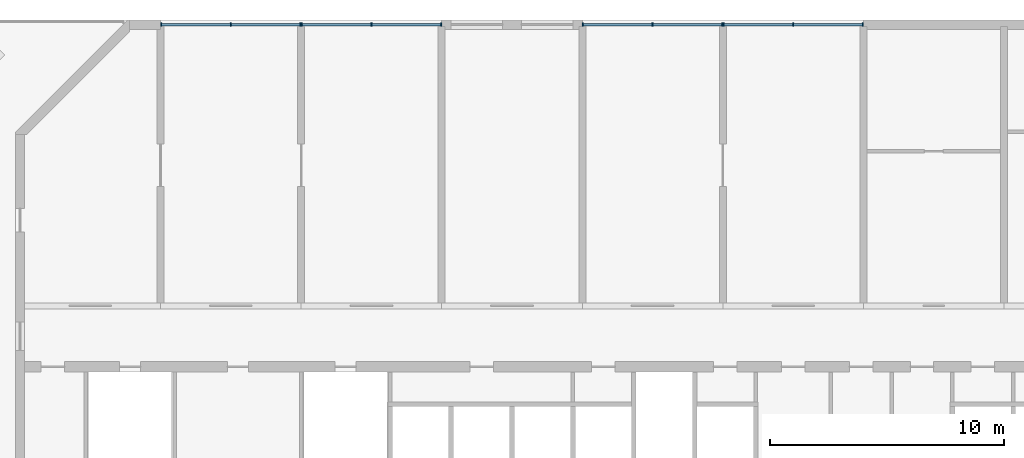
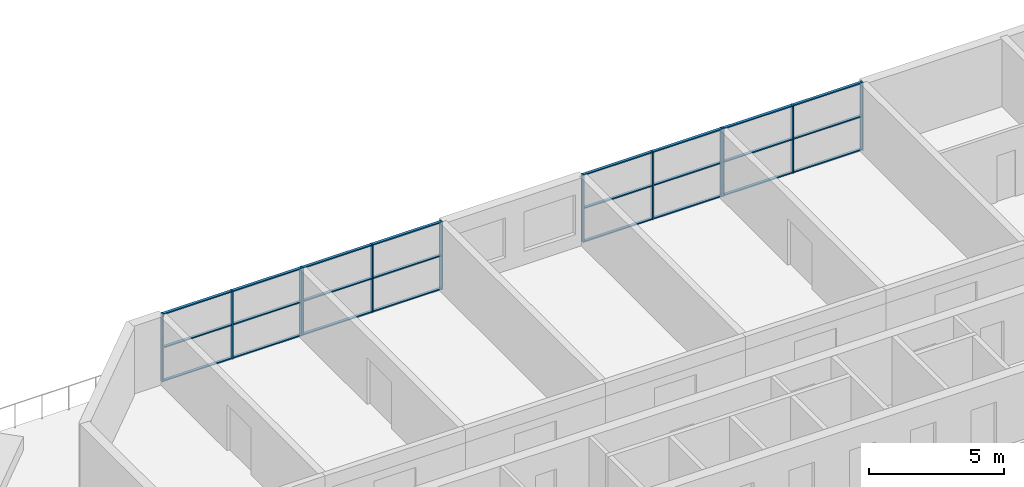
# One storey, part 2 of 14: 36 members, 4 elements without a shape of their own.
"""IFC4 building model written with IfcOpenShell, lengths in metres."""

from ifc_helpers import new_model, si_unit, direction, frame, origin, origin_2d, place, context, subcontext, project, spatial, rectangle, extrude, material, layer, layer_set, material_profile, profile_set, type_object, element, aggregate, save


model = new_model("IFC4")

# Units and contexts
model_context = context("Model", 3, precision=1e-05, world=origin(), true_north=direction((0.0, 1.0)))
body_context = subcontext(model_context, "Body", "Model", "MODEL_VIEW")
ifc_project = project(units=[si_unit("LENGTHUNIT", "METRE"), si_unit("AREAUNIT", "SQUARE_METRE"), si_unit("VOLUMEUNIT", "CUBIC_METRE"), si_unit("PLANEANGLEUNIT", "RADIAN"), si_unit("MASSUNIT", "GRAM", prefix="KILO")], contexts=[model_context])

# Site, building, storey
site_placement = place(None, origin())
site = spatial("IfcSite", under=ifc_project, at=site_placement, CompositionType="ELEMENT")
building_placement = place(site_placement, origin())
building = spatial("IfcBuilding", under=site, at=building_placement, Name="Poui Terraces", CompositionType="ELEMENT")
storey_placement = place(building_placement, frame((0.0, 0.0, 158.699951171875)))
storey = spatial("IfcBuildingStorey", under=building, at=storey_placement, Name="L44", CompositionType="ELEMENT", Elevation=158.699951171875)

# Curtain wall, members
ifc_material_1 = material(Name="Clear glass", Category="glass")
ifc_layer = layer(ifc_material_1, 0.14990234375)
ifc_layer_set = layer_set([ifc_layer], Name="Clear glass")
curtain_wall_type = type_object("IfcCurtainWallType", Name="CURTAIN WALL CW-C COMMUNITY HALL GLAZING", PredefinedType="NOTDEFINED", material=ifc_layer_set)
curtain_wall_1_placement = place(storey_placement, origin())
curtain_wall_1 = element("IfcCurtainWall", 1, at=curtain_wall_1_placement, inside=storey, type_object=curtain_wall_type, Name="CW-C COMMUNITY HALL GLAZING", PredefinedType="NOTDEFINED")
ifc_material_2 = material(Name="Aluminium frame", Category="aluminium")
ifc_material_profile_1 = material_profile(ifc_material_2, rectangle(XDim=0.14990234375, YDim=0.050048828125, at=origin_2d()), Name="CW-C MULLION 50X150")
ifc_profile_set_1 = profile_set([ifc_material_profile_1], Name="Aluminium frame")
member_type_1 = type_object("IfcMemberType", Name="CW-C MULLION 50X150", PredefinedType="MULLION", material=ifc_profile_set_1)
member_1_placement = place(storey_placement, frame((29.97509765625, 42.39990234375, 0.0), z_axis=(0.0, 0.0, 1.0), x_axis=(0.0, -1.0, 0.0)))
member_1 = element("IfcMember", 2, at=member_1_placement, type_object=member_type_1, Name="CW-C mullion 1", PredefinedType="MULLION", context=body_context, shape_type="SweptSolid", body=[
    extrude(rectangle(XDim=0.14990234375, YDim=0.050048828125, at=origin_2d()), origin(), (0.0, 0.0, 1.0), 3.070068359375),
])
member_2_placement = place(storey_placement, frame((27.0, 42.39990234375, 0.0), z_axis=(0.0, 0.0, 1.0), x_axis=(0.0, -1.0, 0.0)))
member_2 = element("IfcMember", 3, at=member_2_placement, type_object=member_type_1, Name="CW-C mullion 2", PredefinedType="MULLION", context=body_context, shape_type="SweptSolid", body=[
    extrude(rectangle(XDim=0.14990234375, YDim=0.050048828125, at=origin_2d()), origin(), (0.0, 0.0, 1.0), 3.070068359375),
])
member_3_placement = place(storey_placement, frame((24.02490234375, 42.39990234375, 0.0), z_axis=(0.0, 0.0, 1.0), x_axis=(0.0, -1.0, 0.0)))
member_3 = element("IfcMember", 4, at=member_3_placement, type_object=member_type_1, Name="CW-C mullion 3", PredefinedType="MULLION", context=body_context, shape_type="SweptSolid", body=[
    extrude(rectangle(XDim=0.14990234375, YDim=0.050048828125, at=origin_2d()), origin(), (0.0, 0.0, 1.0), 3.070068359375),
])

curtain_wall_2_placement = place(storey_placement, origin())
curtain_wall_2 = element("IfcCurtainWall", 5, at=curtain_wall_2_placement, inside=storey, type_object=curtain_wall_type, Name="CW-C COMMUNITY HALL GLAZING", PredefinedType="NOTDEFINED")
member_4_placement = place(storey_placement, frame((35.97509765625, 42.39990234375, 0.0), z_axis=(0.0, 0.0, 1.0), x_axis=(0.0, -1.0, 0.0)))
member_4 = element("IfcMember", 6, at=member_4_placement, type_object=member_type_1, Name="CW-C mullion 1", PredefinedType="MULLION", context=body_context, shape_type="SweptSolid", body=[
    extrude(rectangle(XDim=0.14990234375, YDim=0.050048828125, at=origin_2d()), origin(), (0.0, 0.0, 1.0), 3.070068359375),
])
member_5_placement = place(storey_placement, frame((33.0, 42.39990234375, 0.0), z_axis=(0.0, 0.0, 1.0), x_axis=(0.0, -1.0, 0.0)))
member_5 = element("IfcMember", 7, at=member_5_placement, type_object=member_type_1, Name="CW-C mullion 2", PredefinedType="MULLION", context=body_context, shape_type="SweptSolid", body=[
    extrude(rectangle(XDim=0.14990234375, YDim=0.050048828125, at=origin_2d()), origin(), (0.0, 0.0, 1.0), 3.070068359375),
])
member_6_placement = place(storey_placement, frame((30.02490234375, 42.39990234375, 0.0), z_axis=(0.0, 0.0, 1.0), x_axis=(0.0, -1.0, 0.0)))
member_6 = element("IfcMember", 8, at=member_6_placement, type_object=member_type_1, Name="CW-C mullion 3", PredefinedType="MULLION", context=body_context, shape_type="SweptSolid", body=[
    extrude(rectangle(XDim=0.14990234375, YDim=0.050048828125, at=origin_2d()), origin(), (0.0, 0.0, 1.0), 3.070068359375),
])

curtain_wall_3_placement = place(storey_placement, origin())
curtain_wall_3 = element("IfcCurtainWall", 9, at=curtain_wall_3_placement, inside=storey, type_object=curtain_wall_type, Name="CW-C COMMUNITY HALL GLAZING", PredefinedType="NOTDEFINED")
member_7_placement = place(storey_placement, frame((47.97509765625, 42.39990234375, 0.0), z_axis=(0.0, 0.0, 1.0), x_axis=(0.0, -1.0, 0.0)))
member_7 = element("IfcMember", 10, at=member_7_placement, type_object=member_type_1, Name="CW-C mullion 1", PredefinedType="MULLION", context=body_context, shape_type="SweptSolid", body=[
    extrude(rectangle(XDim=0.14990234375, YDim=0.050048828125, at=origin_2d()), origin(), (0.0, 0.0, 1.0), 3.070068359375),
])
member_8_placement = place(storey_placement, frame((45.0, 42.39990234375, 0.0), z_axis=(0.0, 0.0, 1.0), x_axis=(0.0, -1.0, 0.0)))
member_8 = element("IfcMember", 11, at=member_8_placement, type_object=member_type_1, Name="CW-C mullion 2", PredefinedType="MULLION", context=body_context, shape_type="SweptSolid", body=[
    extrude(rectangle(XDim=0.14990234375, YDim=0.050048828125, at=origin_2d()), origin(), (0.0, 0.0, 1.0), 3.070068359375),
])
member_9_placement = place(storey_placement, frame((42.02490234375, 42.39990234375, 0.0), z_axis=(0.0, 0.0, 1.0), x_axis=(0.0, -1.0, 0.0)))
member_9 = element("IfcMember", 12, at=member_9_placement, type_object=member_type_1, Name="CW-C mullion 3", PredefinedType="MULLION", context=body_context, shape_type="SweptSolid", body=[
    extrude(rectangle(XDim=0.14990234375, YDim=0.050048828125, at=origin_2d()), origin(), (0.0, 0.0, 1.0), 3.070068359375),
])

curtain_wall_4_placement = place(storey_placement, origin())
curtain_wall_4 = element("IfcCurtainWall", 13, at=curtain_wall_4_placement, inside=storey, type_object=curtain_wall_type, Name="CW-C COMMUNITY HALL GLAZING", PredefinedType="NOTDEFINED")
member_10_placement = place(storey_placement, frame((53.97509765625, 42.39990234375, 0.0), z_axis=(0.0, 0.0, 1.0), x_axis=(0.0, -1.0, 0.0)))
member_10 = element("IfcMember", 14, at=member_10_placement, type_object=member_type_1, Name="CW-C mullion 1", PredefinedType="MULLION", context=body_context, shape_type="SweptSolid", body=[
    extrude(rectangle(XDim=0.14990234375, YDim=0.050048828125, at=origin_2d()), origin(), (0.0, 0.0, 1.0), 3.070068359375),
])
member_11_placement = place(storey_placement, frame((51.0, 42.39990234375, 0.0), z_axis=(0.0, 0.0, 1.0), x_axis=(0.0, -1.0, 0.0)))
member_11 = element("IfcMember", 15, at=member_11_placement, type_object=member_type_1, Name="CW-C mullion 2", PredefinedType="MULLION", context=body_context, shape_type="SweptSolid", body=[
    extrude(rectangle(XDim=0.14990234375, YDim=0.050048828125, at=origin_2d()), origin(), (0.0, 0.0, 1.0), 3.070068359375),
])
member_12_placement = place(storey_placement, frame((48.02490234375, 42.39990234375, 0.0), z_axis=(0.0, 0.0, 1.0), x_axis=(0.0, -1.0, 0.0)))
member_12 = element("IfcMember", 16, at=member_12_placement, type_object=member_type_1, Name="CW-C mullion 3", PredefinedType="MULLION", context=body_context, shape_type="SweptSolid", body=[
    extrude(rectangle(XDim=0.14990234375, YDim=0.050048828125, at=origin_2d()), origin(), (0.0, 0.0, 1.0), 3.070068359375),
])

# Member
ifc_material_profile_2 = material_profile(ifc_material_2, rectangle(XDim=0.1201171875, YDim=0.050048828125, at=origin_2d()), Name="CW-C TRANSOM 50X120")
ifc_profile_set_2 = profile_set([ifc_material_profile_2], Name="Aluminium frame")
member_type_2 = type_object("IfcMemberType", Name="CW-C TRANSOM 50X120", PredefinedType="USERDEFINED", material=ifc_profile_set_2)
member_13_placement = place(storey_placement, frame((29.949951171875, 42.39990234375, 0.025146484375), z_axis=(-1.0, 0.0, 0.0), x_axis=(0.0, -1.0, 0.0)))
member_13 = element("IfcMember", 17, at=member_13_placement, type_object=member_type_2, Name="CW-C transom 1.1", ObjectType="TRANSOM", PredefinedType="USERDEFINED", context=body_context, shape_type="SweptSolid", body=[
    extrude(rectangle(XDim=0.1201171875, YDim=0.050048828125, at=origin_2d()), origin(), (0.0, 0.0, 1.0), 2.925048828125),
])

member_14_placement = place(storey_placement, frame((29.949951171875, 42.39990234375, 1.53515625), z_axis=(-1.0, 0.0, 0.0), x_axis=(0.0, -1.0, 0.0)))
member_14 = element("IfcMember", 18, at=member_14_placement, type_object=member_type_2, Name="CW-C transom 1.2", ObjectType="TRANSOM", PredefinedType="USERDEFINED", context=body_context, shape_type="SweptSolid", body=[
    extrude(rectangle(XDim=0.1201171875, YDim=0.050048828125, at=origin_2d()), origin(), (0.0, 0.0, 1.0), 2.925048828125),
])

member_15_placement = place(storey_placement, frame((29.949951171875, 42.39990234375, 3.045166015625), z_axis=(-1.0, 0.0, 0.0), x_axis=(0.0, -1.0, 0.0)))
member_15 = element("IfcMember", 19, at=member_15_placement, type_object=member_type_2, Name="CW-C transom 1.3", ObjectType="TRANSOM", PredefinedType="USERDEFINED", context=body_context, shape_type="SweptSolid", body=[
    extrude(rectangle(XDim=0.1201171875, YDim=0.050048828125, at=origin_2d()), origin(), (0.0, 0.0, 1.0), 2.925048828125),
])

member_16_placement = place(storey_placement, frame((26.97509765625, 42.39990234375, 0.025146484375), z_axis=(-1.0, 0.0, 0.0), x_axis=(0.0, -1.0, 0.0)))
member_16 = element("IfcMember", 20, at=member_16_placement, type_object=member_type_2, Name="CW-C transom 2.1", ObjectType="TRANSOM", PredefinedType="USERDEFINED", context=body_context, shape_type="SweptSolid", body=[
    extrude(rectangle(XDim=0.1201171875, YDim=0.050048828125, at=origin_2d()), origin(), (0.0, 0.0, 1.0), 2.925048828125),
])

member_17_placement = place(storey_placement, frame((26.97509765625, 42.39990234375, 1.53515625), z_axis=(-1.0, 0.0, 0.0), x_axis=(0.0, -1.0, 0.0)))
member_17 = element("IfcMember", 21, at=member_17_placement, type_object=member_type_2, Name="CW-C transom 2.2", ObjectType="TRANSOM", PredefinedType="USERDEFINED", context=body_context, shape_type="SweptSolid", body=[
    extrude(rectangle(XDim=0.1201171875, YDim=0.050048828125, at=origin_2d()), origin(), (0.0, 0.0, 1.0), 2.925048828125),
])

member_18_placement = place(storey_placement, frame((26.97509765625, 42.39990234375, 3.045166015625), z_axis=(-1.0, 0.0, 0.0), x_axis=(0.0, -1.0, 0.0)))
member_18 = element("IfcMember", 22, at=member_18_placement, type_object=member_type_2, Name="CW-C transom 2.3", ObjectType="TRANSOM", PredefinedType="USERDEFINED", context=body_context, shape_type="SweptSolid", body=[
    extrude(rectangle(XDim=0.1201171875, YDim=0.050048828125, at=origin_2d()), origin(), (0.0, 0.0, 1.0), 2.925048828125),
])

aggregate(curtain_wall_1, [member_1, member_2, member_3, member_13, member_14, member_15, member_16, member_17, member_18])

member_19_placement = place(storey_placement, frame((35.949951171875, 42.39990234375, 0.025146484375), z_axis=(-1.0, 0.0, 0.0), x_axis=(0.0, -1.0, 0.0)))
member_19 = element("IfcMember", 23, at=member_19_placement, type_object=member_type_2, Name="CW-C transom 1.1", ObjectType="TRANSOM", PredefinedType="USERDEFINED", context=body_context, shape_type="SweptSolid", body=[
    extrude(rectangle(XDim=0.1201171875, YDim=0.050048828125, at=origin_2d()), origin(), (0.0, 0.0, 1.0), 2.925048828125),
])

member_20_placement = place(storey_placement, frame((35.949951171875, 42.39990234375, 1.53515625), z_axis=(-1.0, 0.0, 0.0), x_axis=(0.0, -1.0, 0.0)))
member_20 = element("IfcMember", 24, at=member_20_placement, type_object=member_type_2, Name="CW-C transom 1.2", ObjectType="TRANSOM", PredefinedType="USERDEFINED", context=body_context, shape_type="SweptSolid", body=[
    extrude(rectangle(XDim=0.1201171875, YDim=0.050048828125, at=origin_2d()), origin(), (0.0, 0.0, 1.0), 2.925048828125),
])

member_21_placement = place(storey_placement, frame((35.949951171875, 42.39990234375, 3.045166015625), z_axis=(-1.0, 0.0, 0.0), x_axis=(0.0, -1.0, 0.0)))
member_21 = element("IfcMember", 25, at=member_21_placement, type_object=member_type_2, Name="CW-C transom 1.3", ObjectType="TRANSOM", PredefinedType="USERDEFINED", context=body_context, shape_type="SweptSolid", body=[
    extrude(rectangle(XDim=0.1201171875, YDim=0.050048828125, at=origin_2d()), origin(), (0.0, 0.0, 1.0), 2.925048828125),
])

member_22_placement = place(storey_placement, frame((32.97509765625, 42.39990234375, 0.025146484375), z_axis=(-1.0, 0.0, 0.0), x_axis=(0.0, -1.0, 0.0)))
member_22 = element("IfcMember", 26, at=member_22_placement, type_object=member_type_2, Name="CW-C transom 2.1", ObjectType="TRANSOM", PredefinedType="USERDEFINED", context=body_context, shape_type="SweptSolid", body=[
    extrude(rectangle(XDim=0.1201171875, YDim=0.050048828125, at=origin_2d()), origin(), (0.0, 0.0, 1.0), 2.925048828125),
])

member_23_placement = place(storey_placement, frame((32.97509765625, 42.39990234375, 1.53515625), z_axis=(-1.0, 0.0, 0.0), x_axis=(0.0, -1.0, 0.0)))
member_23 = element("IfcMember", 27, at=member_23_placement, type_object=member_type_2, Name="CW-C transom 2.2", ObjectType="TRANSOM", PredefinedType="USERDEFINED", context=body_context, shape_type="SweptSolid", body=[
    extrude(rectangle(XDim=0.1201171875, YDim=0.050048828125, at=origin_2d()), origin(), (0.0, 0.0, 1.0), 2.925048828125),
])

member_24_placement = place(storey_placement, frame((32.97509765625, 42.39990234375, 3.045166015625), z_axis=(-1.0, 0.0, 0.0), x_axis=(0.0, -1.0, 0.0)))
member_24 = element("IfcMember", 28, at=member_24_placement, type_object=member_type_2, Name="CW-C transom 2.3", ObjectType="TRANSOM", PredefinedType="USERDEFINED", context=body_context, shape_type="SweptSolid", body=[
    extrude(rectangle(XDim=0.1201171875, YDim=0.050048828125, at=origin_2d()), origin(), (0.0, 0.0, 1.0), 2.925048828125),
])

aggregate(curtain_wall_2, [member_4, member_5, member_6, member_19, member_20, member_21, member_22, member_23, member_24])

member_25_placement = place(storey_placement, frame((47.949951171875, 42.39990234375, 0.025146484375), z_axis=(-1.0, 0.0, 0.0), x_axis=(0.0, -1.0, 0.0)))
member_25 = element("IfcMember", 29, at=member_25_placement, type_object=member_type_2, Name="CW-C transom 1.1", ObjectType="TRANSOM", PredefinedType="USERDEFINED", context=body_context, shape_type="SweptSolid", body=[
    extrude(rectangle(XDim=0.1201171875, YDim=0.050048828125, at=origin_2d()), origin(), (0.0, 0.0, 1.0), 2.925048828125),
])

member_26_placement = place(storey_placement, frame((47.949951171875, 42.39990234375, 1.53515625), z_axis=(-1.0, 0.0, 0.0), x_axis=(0.0, -1.0, 0.0)))
member_26 = element("IfcMember", 30, at=member_26_placement, type_object=member_type_2, Name="CW-C transom 1.2", ObjectType="TRANSOM", PredefinedType="USERDEFINED", context=body_context, shape_type="SweptSolid", body=[
    extrude(rectangle(XDim=0.1201171875, YDim=0.050048828125, at=origin_2d()), origin(), (0.0, 0.0, 1.0), 2.925048828125),
])

member_27_placement = place(storey_placement, frame((47.949951171875, 42.39990234375, 3.045166015625), z_axis=(-1.0, 0.0, 0.0), x_axis=(0.0, -1.0, 0.0)))
member_27 = element("IfcMember", 31, at=member_27_placement, type_object=member_type_2, Name="CW-C transom 1.3", ObjectType="TRANSOM", PredefinedType="USERDEFINED", context=body_context, shape_type="SweptSolid", body=[
    extrude(rectangle(XDim=0.1201171875, YDim=0.050048828125, at=origin_2d()), origin(), (0.0, 0.0, 1.0), 2.925048828125),
])

member_28_placement = place(storey_placement, frame((44.97509765625, 42.39990234375, 0.025146484375), z_axis=(-1.0, 0.0, 0.0), x_axis=(0.0, -1.0, 0.0)))
member_28 = element("IfcMember", 32, at=member_28_placement, type_object=member_type_2, Name="CW-C transom 2.1", ObjectType="TRANSOM", PredefinedType="USERDEFINED", context=body_context, shape_type="SweptSolid", body=[
    extrude(rectangle(XDim=0.1201171875, YDim=0.050048828125, at=origin_2d()), origin(), (0.0, 0.0, 1.0), 2.925048828125),
])

member_29_placement = place(storey_placement, frame((44.97509765625, 42.39990234375, 1.53515625), z_axis=(-1.0, 0.0, 0.0), x_axis=(0.0, -1.0, 0.0)))
member_29 = element("IfcMember", 33, at=member_29_placement, type_object=member_type_2, Name="CW-C transom 2.2", ObjectType="TRANSOM", PredefinedType="USERDEFINED", context=body_context, shape_type="SweptSolid", body=[
    extrude(rectangle(XDim=0.1201171875, YDim=0.050048828125, at=origin_2d()), origin(), (0.0, 0.0, 1.0), 2.925048828125),
])

member_30_placement = place(storey_placement, frame((44.97509765625, 42.39990234375, 3.045166015625), z_axis=(-1.0, 0.0, 0.0), x_axis=(0.0, -1.0, 0.0)))
member_30 = element("IfcMember", 34, at=member_30_placement, type_object=member_type_2, Name="CW-C transom 2.3", ObjectType="TRANSOM", PredefinedType="USERDEFINED", context=body_context, shape_type="SweptSolid", body=[
    extrude(rectangle(XDim=0.1201171875, YDim=0.050048828125, at=origin_2d()), origin(), (0.0, 0.0, 1.0), 2.925048828125),
])

aggregate(curtain_wall_3, [member_7, member_8, member_9, member_25, member_26, member_27, member_28, member_29, member_30])

member_31_placement = place(storey_placement, frame((53.949951171875, 42.39990234375, 0.025146484375), z_axis=(-1.0, 0.0, 0.0), x_axis=(0.0, -1.0, 0.0)))
member_31 = element("IfcMember", 35, at=member_31_placement, type_object=member_type_2, Name="CW-C transom 1.1", ObjectType="TRANSOM", PredefinedType="USERDEFINED", context=body_context, shape_type="SweptSolid", body=[
    extrude(rectangle(XDim=0.1201171875, YDim=0.050048828125, at=origin_2d()), origin(), (0.0, 0.0, 1.0), 2.925048828125),
])

member_32_placement = place(storey_placement, frame((53.949951171875, 42.39990234375, 1.53515625), z_axis=(-1.0, 0.0, 0.0), x_axis=(0.0, -1.0, 0.0)))
member_32 = element("IfcMember", 36, at=member_32_placement, type_object=member_type_2, Name="CW-C transom 1.2", ObjectType="TRANSOM", PredefinedType="USERDEFINED", context=body_context, shape_type="SweptSolid", body=[
    extrude(rectangle(XDim=0.1201171875, YDim=0.050048828125, at=origin_2d()), origin(), (0.0, 0.0, 1.0), 2.925048828125),
])

member_33_placement = place(storey_placement, frame((53.949951171875, 42.39990234375, 3.045166015625), z_axis=(-1.0, 0.0, 0.0), x_axis=(0.0, -1.0, 0.0)))
member_33 = element("IfcMember", 37, at=member_33_placement, type_object=member_type_2, Name="CW-C transom 1.3", ObjectType="TRANSOM", PredefinedType="USERDEFINED", context=body_context, shape_type="SweptSolid", body=[
    extrude(rectangle(XDim=0.1201171875, YDim=0.050048828125, at=origin_2d()), origin(), (0.0, 0.0, 1.0), 2.925048828125),
])

member_34_placement = place(storey_placement, frame((50.97509765625, 42.39990234375, 0.025146484375), z_axis=(-1.0, 0.0, 0.0), x_axis=(0.0, -1.0, 0.0)))
member_34 = element("IfcMember", 38, at=member_34_placement, type_object=member_type_2, Name="CW-C transom 2.1", ObjectType="TRANSOM", PredefinedType="USERDEFINED", context=body_context, shape_type="SweptSolid", body=[
    extrude(rectangle(XDim=0.1201171875, YDim=0.050048828125, at=origin_2d()), origin(), (0.0, 0.0, 1.0), 2.925048828125),
])

member_35_placement = place(storey_placement, frame((50.97509765625, 42.39990234375, 1.53515625), z_axis=(-1.0, 0.0, 0.0), x_axis=(0.0, -1.0, 0.0)))
member_35 = element("IfcMember", 39, at=member_35_placement, type_object=member_type_2, Name="CW-C transom 2.2", ObjectType="TRANSOM", PredefinedType="USERDEFINED", context=body_context, shape_type="SweptSolid", body=[
    extrude(rectangle(XDim=0.1201171875, YDim=0.050048828125, at=origin_2d()), origin(), (0.0, 0.0, 1.0), 2.925048828125),
])

member_36_placement = place(storey_placement, frame((50.97509765625, 42.39990234375, 3.045166015625), z_axis=(-1.0, 0.0, 0.0), x_axis=(0.0, -1.0, 0.0)))
member_36 = element("IfcMember", 40, at=member_36_placement, type_object=member_type_2, Name="CW-C transom 2.3", ObjectType="TRANSOM", PredefinedType="USERDEFINED", context=body_context, shape_type="SweptSolid", body=[
    extrude(rectangle(XDim=0.1201171875, YDim=0.050048828125, at=origin_2d()), origin(), (0.0, 0.0, 1.0), 2.925048828125),
])

aggregate(curtain_wall_4, [member_10, member_11, member_12, member_31, member_32, member_33, member_34, member_35, member_36])

save(model, "model.ifc")
